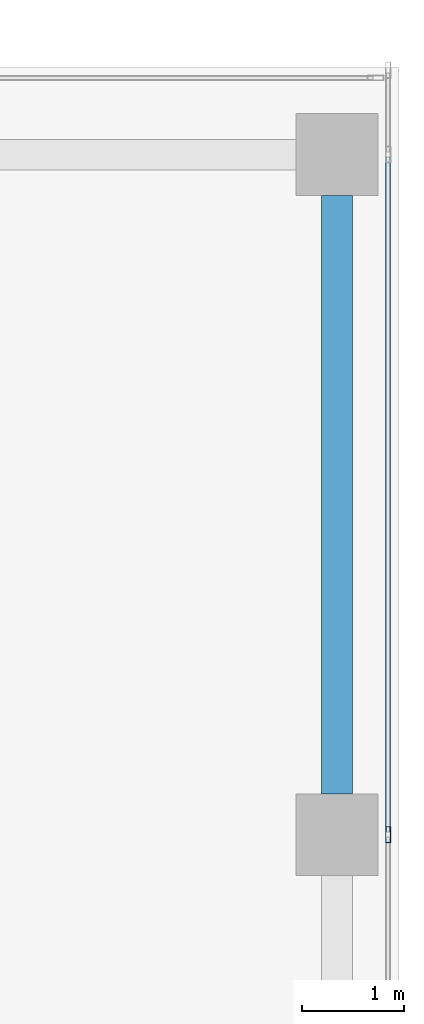
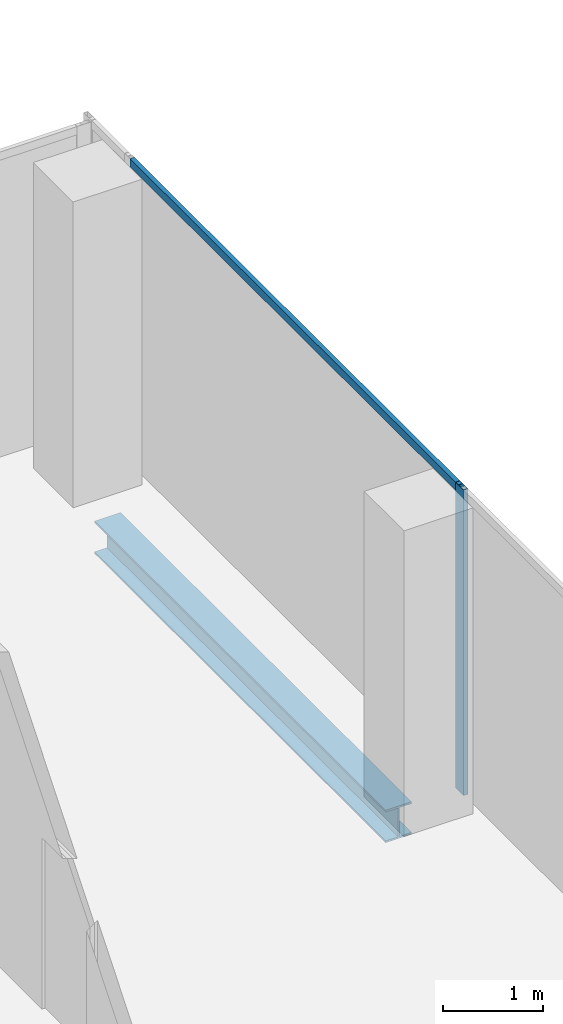
# One storey, part 13 of 29: 2 members, 1 beam, 1 element without a shape of its own.
"""IFC4 building model written with IfcOpenShell, lengths in metres."""

import ifcopenshell
import ifcopenshell.guid

model = None  # the IFC model being written
_history = None  # IfcOwnerHistory: only IFC2X3 demands one
_inside = {}  # id of a spatial element -> (the spatial element, [elements in it])
_under = {}  # id of a project, library or spatial element -> (it, [spatial elements below it])
_declared = {}  # id of a project -> (the project, [libraries it declares])
_typed = {}  # id of a type object -> (the type object, [elements of that type])
_made_of = {}  # id of a material, layer set ... -> (it, [elements and type objects made of it])


def new_model(schema):
    """Start an empty IFC model of exactly this schema.

    Asked for "IFC4X3", IfcOpenShell would pick the latest addendum, in which some entities
    have other attributes; the version numbers below select the first issue.
    IFC2X3 requires an IfcOwnerHistory on every rooted entity: one is made here for all.
    """
    global model, _history
    if schema == "IFC4X3":
        model = ifcopenshell.file(schema_version=(4, 3, 0, 0))
    else:
        model = ifcopenshell.file(schema=schema)
    _inside.clear()
    _under.clear()
    _declared.clear()
    _typed.clear()
    _made_of.clear()
    _history = None
    if model.schema == "IFC2X3":
        org = make("IfcOrganization", Name="unknown")
        user = make(
            "IfcPersonAndOrganization",
            ThePerson=make("IfcPerson", FamilyName="unknown"),
            TheOrganization=org,
        )
        app = make(
            "IfcApplication",
            ApplicationDeveloper=org,
            Version="unknown",
            ApplicationFullName="unknown",
            ApplicationIdentifier="unknown",
        )
        _history = make(
            "IfcOwnerHistory",
            OwningUser=user,
            OwningApplication=app,
            ChangeAction="ADDED",
            CreationDate=0,
        )
    return model


def make(cls, **values):
    """One entity of the class cls with the attributes given. An attribute that is None is left unset."""
    return model.create_entity(
        cls, **{name: value for name, value in values.items() if value is not None}
    )


def rooted(cls, **values):
    """An entity with a GlobalId (a new one), such as an element, a storey or a relation."""
    return make(cls, GlobalId=ifcopenshell.guid.new(), OwnerHistory=_history, **values)


def si_unit(unit_type, name, prefix=None):
    """IfcSIUnit, for example si_unit("LENGTHUNIT", "METRE", prefix="MILLI")."""
    return make("IfcSIUnit", UnitType=unit_type, Prefix=prefix, Name=name)


def assignment(units):
    """IfcUnitAssignment: the units of a project."""
    return None if units is None else make("IfcUnitAssignment", Units=units)


def point(xyz):
    """IfcCartesianPoint."""
    return None if xyz is None else make("IfcCartesianPoint", Coordinates=xyz)


def direction(xyz):
    """IfcDirection."""
    return None if xyz is None else make("IfcDirection", DirectionRatios=xyz)


def frame(location, z_axis=None, x_axis=None):
    """IfcAxis2Placement3D, a coordinate frame: its origin and axes. An axis left out is left unset."""
    return make(
        "IfcAxis2Placement3D",
        Location=point(location),
        Axis=direction(z_axis),
        RefDirection=direction(x_axis),
    )


def frame_2d(location, x_axis=None):
    """IfcAxis2Placement2D, a coordinate frame in the plane: its origin and x axis."""
    return make(
        "IfcAxis2Placement2D", Location=point(location), RefDirection=direction(x_axis)
    )


def origin():
    """The frame at (0, 0, 0) with its axes left unset."""
    return frame((0.0, 0.0, 0.0))


def origin_2d():
    """The frame at (0, 0) in the plane with its x axis left unset."""
    return frame_2d((0.0, 0.0))


def place(relative_to, where):
    """IfcLocalPlacement: puts the frame where relative to a parent placement (None: the world)."""
    return make(
        "IfcLocalPlacement", PlacementRelTo=relative_to, RelativePlacement=where
    )


def context(
    kind, dimensions, precision=None, world=None, true_north=None, identifier=None
):
    """IfcGeometricRepresentationContext, for example the 3D "Model" context."""
    return make(
        "IfcGeometricRepresentationContext",
        ContextIdentifier=identifier,
        ContextType=kind,
        CoordinateSpaceDimension=dimensions,
        Precision=precision,
        WorldCoordinateSystem=world,
        TrueNorth=true_north,
    )


def subcontext(parent, identifier, kind, view, scale=None):
    """IfcGeometricRepresentationSubContext, for example "Body" below "Model"."""
    return make(
        "IfcGeometricRepresentationSubContext",
        ContextIdentifier=identifier,
        ContextType=kind,
        ParentContext=parent,
        TargetScale=scale,
        TargetView=view,
    )


def project(units=None, contexts=None):
    """IfcProject with its units and contexts."""
    return rooted(
        "IfcProject",
        Name="project",
        RepresentationContexts=contexts,
        UnitsInContext=assignment(units),
    )


def spatial(cls, under=None, at=None, **own):
    """A site, building, storey or space (cls), placed at a placement, below another one or the project."""
    s = rooted(cls, ObjectPlacement=at, **own)
    if under is not None:
        _under.setdefault(under.id(), (under, []))[1].append(s)
    return s


def profile(cls, at=None, kind="AREA", **sizes):
    """A parametric profile (cls). Its sizes go by their IFC names, for example OverallWidth=200.0."""
    return make(cls, ProfileType=kind, Position=at, **sizes)


def hollow_rectangle(**sizes):
    """IfcRectangleHollowProfileDef."""
    return profile("IfcRectangleHollowProfileDef", **sizes)


def i_section(**sizes):
    """IfcIShapeProfileDef."""
    return profile("IfcIShapeProfileDef", **sizes)


def extrude(swept, where, along, depth):
    """IfcExtrudedAreaSolid: the profile swept, set in the frame where, extruded along a direction by depth."""
    return make(
        "IfcExtrudedAreaSolid",
        SweptArea=swept,
        Position=where,
        ExtrudedDirection=direction(along),
        Depth=depth,
    )


def shape(context_of_items, identifier, shape_type, items):
    """IfcShapeRepresentation: the items that make up one representation, for example the "Body"."""
    return make(
        "IfcShapeRepresentation",
        ContextOfItems=context_of_items,
        RepresentationIdentifier=identifier,
        RepresentationType=shape_type,
        Items=items,
    )


def source(mapping_origin, context_of_items, identifier, shape_type, items):
    """IfcRepresentationMap: a shape defined once, which mapped items show again and again."""
    return make(
        "IfcRepresentationMap",
        MappingOrigin=mapping_origin,
        MappedRepresentation=shape(context_of_items, identifier, shape_type, items),
    )


def transform(
    local_origin,
    x_axis=None,
    y_axis=None,
    z_axis=None,
    scale=None,
    scale2=None,
    scale3=None,
    uniform=True,
):
    """IfcCartesianTransformationOperator3D, or its non-uniform kind. x_axis, y_axis, z_axis: its Axis1, 2, 3."""
    if uniform:
        return make(
            "IfcCartesianTransformationOperator3D",
            Axis1=direction(x_axis),
            Axis2=direction(y_axis),
            LocalOrigin=point(local_origin),
            Scale=scale,
            Axis3=direction(z_axis),
        )
    return make(
        "IfcCartesianTransformationOperator3DnonUniform",
        Axis1=direction(x_axis),
        Axis2=direction(y_axis),
        LocalOrigin=point(local_origin),
        Scale=scale,
        Axis3=direction(z_axis),
        Scale2=scale2,
        Scale3=scale3,
    )


def mapped(mapping_source, mapping_target):
    """IfcMappedItem: shows the shape of a source again, moved by a transform."""
    return make(
        "IfcMappedItem", MappingSource=mapping_source, MappingTarget=mapping_target
    )


def material(Name=None, Category=None):
    """IfcMaterial."""
    return make("IfcMaterial", Name=Name, Category=Category)


def material_profile(
    of_material, cross_section, Name=None, Category=None, Priority=None
):
    """IfcMaterialProfile: a cross section and its material."""
    return make(
        "IfcMaterialProfile",
        Name=Name,
        Material=of_material,
        Profile=cross_section,
        Priority=Priority,
        Category=Category,
    )


def profile_set(profiles, Name=None, composite=None):
    """IfcMaterialProfileSet."""
    return make(
        "IfcMaterialProfileSet",
        Name=Name,
        MaterialProfiles=profiles,
        CompositeProfile=composite,
    )


def made_of(thing, what):
    """Note that an element or type object is made of a material, layer set ...; save() writes the relation."""
    if what is not None:
        _made_of.setdefault(what.id(), (what, []))[1].append(thing)
    return thing


def type_object(cls, material=None, **own):
    """A type object (cls), such as IfcWallType, which elements share."""
    return made_of(rooted(cls, **own), material)


def element(
    cls,
    number,
    at=None,
    inside=None,
    cuts=None,
    type_object=None,
    material=None,
    context=None,
    identifier="Body",
    shape_type=None,
    held_by="IfcProductDefinitionShape",
    body=None,
    shapes=None,
    **own,
):
    """One element of the class cls, such as IfcWall. Its Tag is "e" and its number.

    at: its placement. inside: the storey or other place that contains it. cuts: it is an
    opening in that element (IfcRelVoidsElement). A single representation is given by context,
    identifier, shape_type and body (its items); several are given by shapes. held_by: the class
    of the entity that holds the representations. save() writes the other relations.
    """
    e = rooted(cls, Tag="e%d" % number, ObjectPlacement=at, **own)
    if body is not None:
        shapes = [shape(context, identifier, shape_type, body)]
    if shapes is not None:
        e.Representation = make(held_by, Representations=shapes)
    if inside is not None:
        _inside.setdefault(inside.id(), (inside, []))[1].append(e)
    if cuts is not None:
        rooted(
            "IfcRelVoidsElement", RelatingBuildingElement=cuts, RelatedOpeningElement=e
        )
    if type_object is not None:
        _typed.setdefault(type_object.id(), (type_object, []))[1].append(e)
    return made_of(e, material)


def aggregate(whole, parts):
    """IfcRelAggregates: a whole, such as a stair, and the parts it consists of."""
    return rooted("IfcRelAggregates", RelatingObject=whole, RelatedObjects=parts)


def save(model, path):
    """Write the relations noted so far, then the file.

    IfcRelAggregates (storeys below a building ...), IfcRelContainedInSpatialStructure (elements
    in a storey), IfcRelDefinesByType, IfcRelAssociatesMaterial and IfcRelDeclares: one each for
    every whole, place, type object, material and project.
    """
    for whole, parts in _under.values():
        aggregate(whole, parts)
    for where, things in _inside.values():
        rooted(
            "IfcRelContainedInSpatialStructure",
            RelatedElements=things,
            RelatingStructure=where,
        )
    for kind, things in _typed.values():
        rooted("IfcRelDefinesByType", RelatedObjects=things, RelatingType=kind)
    for what, things in _made_of.values():
        rooted("IfcRelAssociatesMaterial", RelatedObjects=things, RelatingMaterial=what)
    for by, libraries in _declared.values():
        rooted("IfcRelDeclares", RelatingContext=by, RelatedDefinitions=libraries)
    model.write(path)


model = new_model("IFC4")

# Units and contexts
model_context = context("Model", 3, precision=1e-05, world=origin(), true_north=direction((0.0, 1.0)))
body_context = subcontext(model_context, "Body", "Model", "MODEL_VIEW")
ifc_project = project(units=[si_unit("LENGTHUNIT", "METRE"), si_unit("AREAUNIT", "SQUARE_METRE"), si_unit("VOLUMEUNIT", "CUBIC_METRE"), si_unit("PLANEANGLEUNIT", "RADIAN"), si_unit("MASSUNIT", "GRAM", prefix="KILO")], contexts=[model_context])

# Site, building, storey
site_placement = place(None, origin())
site = spatial("IfcSite", under=ifc_project, at=site_placement, CompositionType="ELEMENT")
building_placement = place(site_placement, origin())
building = spatial("IfcBuilding", under=site, at=building_placement, Name="Khomas Fold Tower", CompositionType="ELEMENT")
storey_placement = place(building_placement, frame((0.0, 0.0, 326.199951171875)))
storey = spatial("IfcBuildingStorey", under=building, at=storey_placement, Name="L74", CompositionType="ELEMENT", Elevation=326.199951171875)

# Beam
ifc_material_1 = material(Name="Steel S355", Category="steel")
ifc_material_profile_1 = material_profile(ifc_material_1, i_section(OverallWidth=0.300048828125, OverallDepth=0.39990234375, WebThickness=0.013427734375, FlangeThickness=0.02392578125, at=origin_2d()), Name="HE 400 B")
ifc_profile_set_1 = profile_set([ifc_material_profile_1], Name="Steel S355")
beam_type = type_object("IfcBeamType", Name="HE 400 B spandrel SB5", PredefinedType="SPANDREL", material=ifc_profile_set_1)
shared_shape_1 = source(origin(), body_context, "Body", "SweptSolid", [
    extrude(i_section(OverallWidth=0.300048828125, OverallDepth=0.39990234375, WebThickness=0.013427734375, FlangeThickness=0.02392578125, at=origin_2d()), origin(), (0.0, 0.0, 1.0), 5.85009765625),
])
beam_placement = place(storey_placement, frame((47.39990234375, 34.89990234375, -0.449951171875), z_axis=(0.0, 1.0, 0.0), x_axis=(-1.0, 0.0, 0.0)))
element("IfcBeam", 1, at=beam_placement, inside=storey, type_object=beam_type, Name="SB5", PredefinedType="SPANDREL", context=body_context, shape_type="MappedRepresentation", body=[
    mapped(shared_shape_1, transform((0.0, 0.0, 0.0))),
])

# Curtain wall, members
ifc_material_2 = material(Name="Aluminium framed double glazing", Category="aluminium")
curtain_wall_type = type_object("IfcCurtainWallType", Name="SK-Unitised clear-glass wall, upper floors CW3", PredefinedType="NOTDEFINED", material=ifc_material_2)
curtain_wall_placement = place(storey_placement, origin())
curtain_wall = element("IfcCurtainWall", 2, at=curtain_wall_placement, inside=storey, type_object=curtain_wall_type, Name="CW3 run L74 03-1", PredefinedType="NOTDEFINED")
ifc_material_3 = material(Name="Aluminium", Category="aluminium")
ifc_material_profile_2 = material_profile(ifc_material_3, hollow_rectangle(XDim=0.050048828125, YDim=0.159912109375, WallThickness=0.00390625, at=origin_2d()), Name="SK-Unitised clear-glass wall, upper floors mullion CW3-M")
ifc_profile_set_2 = profile_set([ifc_material_profile_2], Name="Aluminium")
member_type_1 = type_object("IfcMemberType", Name="SK-Unitised clear-glass wall, upper floors mullion CW3-M", PredefinedType="MULLION", material=ifc_profile_set_2)
shared_shape_2 = source(origin(), body_context, "Body", "SweptSolid", [
    extrude(hollow_rectangle(XDim=0.050048828125, YDim=0.159912109375, WallThickness=0.00390625, at=origin_2d()), origin(), (0.0, 0.0, 1.0), 3.75),
])
member_1_placement = place(storey_placement, frame((47.89990234375, 34.5, 0.0), z_axis=(0.0, 0.0, 1.0), x_axis=(-1.0, 0.0, 0.0)))
member_1 = element("IfcMember", 3, at=member_1_placement, type_object=member_type_1, Name="CW3 mullion 3", PredefinedType="MULLION", context=body_context, shape_type="MappedRepresentation", body=[
    mapped(shared_shape_2, transform((0.0, 0.0, 0.0))),
])
ifc_material_4 = material(Name="Aluminium", Category="aluminium")
ifc_material_profile_3 = material_profile(ifc_material_4, hollow_rectangle(XDim=0.050048828125, YDim=0.10009765625, WallThickness=0.00390625, at=origin_2d()), Name="SK-Unitised clear-glass wall, upper floors transom CW3-T")
ifc_profile_set_3 = profile_set([ifc_material_profile_3], Name="Aluminium")
member_type_2 = type_object("IfcMemberType", Name="SK-Unitised clear-glass wall, upper floors transom CW3-T", PredefinedType="USERDEFINED", material=ifc_profile_set_3)
shared_shape_3 = source(origin(), body_context, "Body", "SweptSolid", [
    extrude(hollow_rectangle(XDim=0.050048828125, YDim=0.10009765625, WallThickness=0.00390625, at=origin_2d()), origin(), (0.0, 0.0, 1.0), 6.60009765625),
])
member_2_placement = place(storey_placement, frame((47.89990234375, 34.52490234375, 3.699951171875), z_axis=(0.0, 1.0, 0.0), x_axis=(-1.0, 0.0, 0.0)))
member_2 = element("IfcMember", 4, at=member_2_placement, type_object=member_type_2, Name="CW3 transom 3", ObjectType="TRANSOM", PredefinedType="USERDEFINED", context=body_context, shape_type="MappedRepresentation", body=[
    mapped(shared_shape_3, transform((0.0, 0.0, 0.0))),
])
aggregate(curtain_wall, [member_1, member_2])

save(model, "model.ifc")
